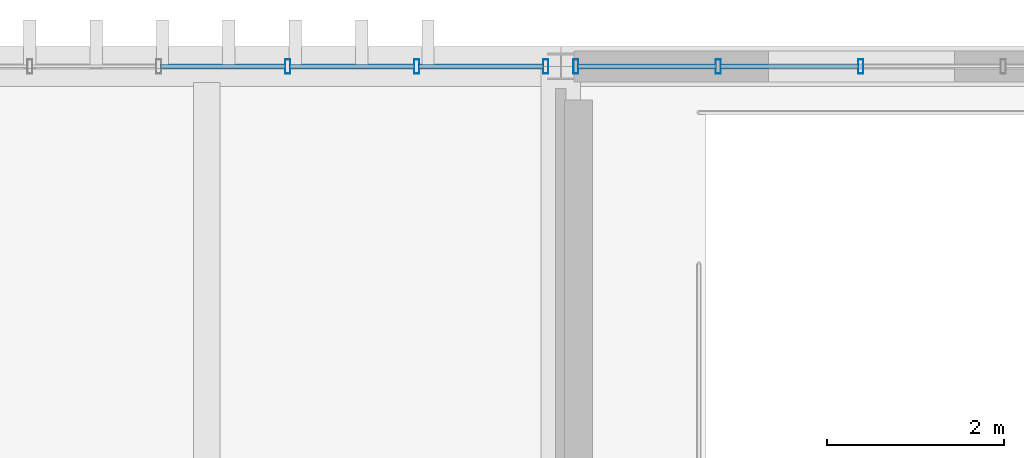
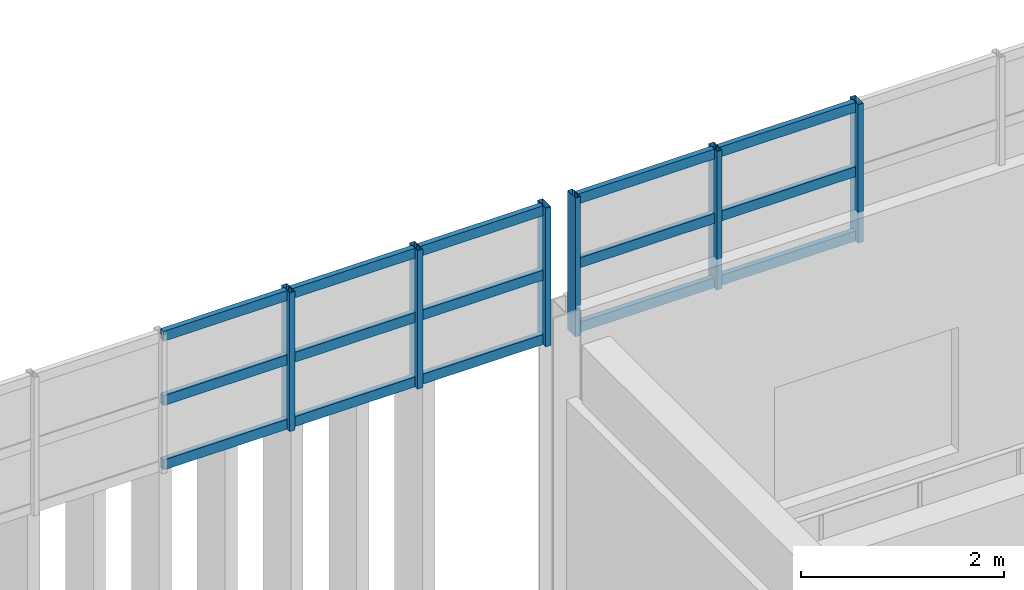
# One storey, part 22 of 36: 21 members, 2 elements without a shape of their own.
"""IFC4 building model written with IfcOpenShell, lengths in metres."""

from ifc_helpers import new_model, si_unit, direction, frame, origin, origin_2d, place, context, subcontext, project, spatial, hollow_rectangle, extrude, material, layer, layer_set, material_profile, profile_set, type_object, element, aggregate, save


model = new_model("IFC4")

# Units and contexts
model_context = context("Model", 3, precision=1e-05, world=origin(), true_north=direction((0.0, 1.0)))
body_context = subcontext(model_context, "Body", "Model", "MODEL_VIEW")
ifc_project = project(units=[si_unit("LENGTHUNIT", "METRE"), si_unit("AREAUNIT", "SQUARE_METRE"), si_unit("VOLUMEUNIT", "CUBIC_METRE"), si_unit("PLANEANGLEUNIT", "RADIAN"), si_unit("MASSUNIT", "GRAM", prefix="KILO")], contexts=[model_context])

# Site, building, storey
site_placement = place(None, origin())
site = spatial("IfcSite", under=ifc_project, at=site_placement, CompositionType="ELEMENT")
building_placement = place(site_placement, origin())
building = spatial("IfcBuilding", under=site, at=building_placement, Name="Mersad Railyard Sports Hall", CompositionType="ELEMENT")
storey_placement = place(building_placement, frame((0.0, 0.0, 21.60009765625)))
storey = spatial("IfcBuildingStorey", under=building, at=storey_placement, Name="L05", CompositionType="ELEMENT", Elevation=21.60009765625)

# Curtain wall, members
ifc_material = material(Name="Aluminium 6063-T6", Category="aluminium")
ifc_layer_1 = layer(ifc_material, 0.159912109375)
ifc_layer_set_1 = layer_set([ifc_layer_1], Name="Aluminium 6063-T6")
curtain_wall_type_1 = type_object("IfcCurtainWallType", Name="ARC-CW-CW49", PredefinedType="USERDEFINED", material=ifc_layer_set_1)
curtain_wall_1_placement = place(storey_placement, origin())
curtain_wall_1 = element("IfcCurtainWall", 1, at=curtain_wall_1_placement, inside=storey, type_object=curtain_wall_type_1, Name="Curtain wall CW49-0131", ObjectType="CURTAIN WALL", PredefinedType="USERDEFINED")
ifc_material_profile_1 = material_profile(ifc_material, hollow_rectangle(XDim=0.06005859375, YDim=0.159912109375, WallThickness=0.00390625, at=origin_2d()), Name="AL MULLION 60x160x4")
ifc_profile_set_1 = profile_set([ifc_material_profile_1], Name="Aluminium 6063-T6")
member_type_1 = type_object("IfcMemberType", Name="ARC-CW-MUL01", PredefinedType="MULLION", material=ifc_profile_set_1)
member_1_placement = place(storey_placement, frame((87.9150390625, 115.0, 3.829833984375), z_axis=(0.0, 0.0, 1.0), x_axis=(1.0, 0.0, 0.0)))
member_1 = element("IfcMember", 2, at=member_1_placement, type_object=member_type_1, Name="CW49 Mullion 7", PredefinedType="MULLION", context=body_context, shape_type="SweptSolid", body=[
    extrude(hollow_rectangle(XDim=0.06005859375, YDim=0.159912109375, WallThickness=0.00390625, at=origin_2d()), origin(), (0.0, 0.0, 1.0), 1.670166015625),
])
member_2_placement = place(storey_placement, frame((89.37255859375, 115.0, 3.829833984375), z_axis=(0.0, 0.0, 1.0), x_axis=(1.0, 0.0, 0.0)))
member_2 = element("IfcMember", 3, at=member_2_placement, type_object=member_type_1, Name="CW49 Mullion 8", PredefinedType="MULLION", context=body_context, shape_type="SweptSolid", body=[
    extrude(hollow_rectangle(XDim=0.06005859375, YDim=0.159912109375, WallThickness=0.00390625, at=origin_2d()), origin(), (0.0, 0.0, 1.0), 1.670166015625),
])
member_3_placement = place(storey_placement, frame((90.830078125, 115.0, 3.829833984375), z_axis=(0.0, 0.0, 1.0), x_axis=(1.0, 0.0, 0.0)))
member_3 = element("IfcMember", 4, at=member_3_placement, type_object=member_type_1, Name="CW49 Mullion 9", PredefinedType="MULLION", context=body_context, shape_type="SweptSolid", body=[
    extrude(hollow_rectangle(XDim=0.06005859375, YDim=0.159912109375, WallThickness=0.00390625, at=origin_2d()), origin(), (0.0, 0.0, 1.0), 1.670166015625),
])

ifc_layer_2 = layer(ifc_material, 0.159912109375)
ifc_layer_set_2 = layer_set([ifc_layer_2], Name="Aluminium 6063-T6")
curtain_wall_type_2 = type_object("IfcCurtainWallType", Name="ARC-CW-CW51", PredefinedType="USERDEFINED", material=ifc_layer_set_2)
curtain_wall_2_placement = place(storey_placement, origin())
curtain_wall_2 = element("IfcCurtainWall", 5, at=curtain_wall_2_placement, inside=storey, type_object=curtain_wall_type_2, Name="Curtain wall CW51-0133", ObjectType="CURTAIN WALL", PredefinedType="USERDEFINED")
member_4_placement = place(storey_placement, frame((91.169921875, 115.0, 3.829833984375), z_axis=(0.0, 0.0, 1.0), x_axis=(1.0, 0.0, 0.0)))
member_4 = element("IfcMember", 6, at=member_4_placement, type_object=member_type_1, Name="CW51 Mullion 1", PredefinedType="MULLION", context=body_context, shape_type="SweptSolid", body=[
    extrude(hollow_rectangle(XDim=0.06005859375, YDim=0.159912109375, WallThickness=0.00390625, at=origin_2d()), origin(), (0.0, 0.0, 1.0), 1.670166015625),
])
member_5_placement = place(storey_placement, frame((92.780029296875, 115.0, 3.829833984375), z_axis=(0.0, 0.0, 1.0), x_axis=(1.0, 0.0, 0.0)))
member_5 = element("IfcMember", 7, at=member_5_placement, type_object=member_type_1, Name="CW51 Mullion 2", PredefinedType="MULLION", context=body_context, shape_type="SweptSolid", body=[
    extrude(hollow_rectangle(XDim=0.06005859375, YDim=0.159912109375, WallThickness=0.00390625, at=origin_2d()), origin(), (0.0, 0.0, 1.0), 1.670166015625),
])
member_6_placement = place(storey_placement, frame((94.389892578125, 115.0, 3.829833984375), z_axis=(0.0, 0.0, 1.0), x_axis=(1.0, 0.0, 0.0)))
member_6 = element("IfcMember", 8, at=member_6_placement, type_object=member_type_1, Name="CW51 Mullion 3", PredefinedType="MULLION", context=body_context, shape_type="SweptSolid", body=[
    extrude(hollow_rectangle(XDim=0.06005859375, YDim=0.159912109375, WallThickness=0.00390625, at=origin_2d()), origin(), (0.0, 0.0, 1.0), 1.670166015625),
])

# Member
ifc_material_profile_2 = material_profile(ifc_material, hollow_rectangle(XDim=0.06005859375, YDim=0.1201171875, WallThickness=0.00390625, at=origin_2d()), Name="AL TRANSOM 60x120x4")
ifc_profile_set_2 = profile_set([ifc_material_profile_2], Name="Aluminium 6063-T6")
member_type_2 = type_object("IfcMemberType", Name="ARC-CW-TRN01", PredefinedType="USERDEFINED", material=ifc_profile_set_2)
member_7_placement = place(storey_placement, frame((86.4775390625, 115.0, 3.889892578125), z_axis=(1.0, 0.0, 0.0), x_axis=(0.0, 1.0, 0.0)))
member_7 = element("IfcMember", 9, at=member_7_placement, type_object=member_type_2, Name="CW49 Transom 1-6", ObjectType="TRANSOM", PredefinedType="USERDEFINED", context=body_context, shape_type="SweptSolid", body=[
    extrude(hollow_rectangle(XDim=0.06005859375, YDim=0.1201171875, WallThickness=0.00390625, at=origin_2d()), origin(), (0.0, 0.0, 1.0), 1.41748046875),
])

member_8_placement = place(storey_placement, frame((87.93505859375, 115.0, 3.889892578125), z_axis=(1.0, 0.0, 0.0), x_axis=(0.0, 1.0, 0.0)))
member_8 = element("IfcMember", 10, at=member_8_placement, type_object=member_type_2, Name="CW49 Transom 1-7", ObjectType="TRANSOM", PredefinedType="USERDEFINED", context=body_context, shape_type="SweptSolid", body=[
    extrude(hollow_rectangle(XDim=0.06005859375, YDim=0.1201171875, WallThickness=0.00390625, at=origin_2d()), origin(), (0.0, 0.0, 1.0), 1.41748046875),
])

member_9_placement = place(storey_placement, frame((89.392578125, 115.0, 3.889892578125), z_axis=(1.0, 0.0, 0.0), x_axis=(0.0, 1.0, 0.0)))
member_9 = element("IfcMember", 11, at=member_9_placement, type_object=member_type_2, Name="CW49 Transom 1-8", ObjectType="TRANSOM", PredefinedType="USERDEFINED", context=body_context, shape_type="SweptSolid", body=[
    extrude(hollow_rectangle(XDim=0.06005859375, YDim=0.1201171875, WallThickness=0.00390625, at=origin_2d()), origin(), (0.0, 0.0, 1.0), 1.41748046875),
])

member_10_placement = place(storey_placement, frame((86.4775390625, 115.0, 4.664794921875), z_axis=(1.0, 0.0, 0.0), x_axis=(0.0, 1.0, 0.0)))
member_10 = element("IfcMember", 12, at=member_10_placement, type_object=member_type_2, Name="CW49 Transom 2-6", ObjectType="TRANSOM", PredefinedType="USERDEFINED", context=body_context, shape_type="SweptSolid", body=[
    extrude(hollow_rectangle(XDim=0.06005859375, YDim=0.1201171875, WallThickness=0.00390625, at=origin_2d()), origin(), (0.0, 0.0, 1.0), 1.41748046875),
])

member_11_placement = place(storey_placement, frame((87.93505859375, 115.0, 4.664794921875), z_axis=(1.0, 0.0, 0.0), x_axis=(0.0, 1.0, 0.0)))
member_11 = element("IfcMember", 13, at=member_11_placement, type_object=member_type_2, Name="CW49 Transom 2-7", ObjectType="TRANSOM", PredefinedType="USERDEFINED", context=body_context, shape_type="SweptSolid", body=[
    extrude(hollow_rectangle(XDim=0.06005859375, YDim=0.1201171875, WallThickness=0.00390625, at=origin_2d()), origin(), (0.0, 0.0, 1.0), 1.41748046875),
])

member_12_placement = place(storey_placement, frame((89.392578125, 115.0, 4.664794921875), z_axis=(1.0, 0.0, 0.0), x_axis=(0.0, 1.0, 0.0)))
member_12 = element("IfcMember", 14, at=member_12_placement, type_object=member_type_2, Name="CW49 Transom 2-8", ObjectType="TRANSOM", PredefinedType="USERDEFINED", context=body_context, shape_type="SweptSolid", body=[
    extrude(hollow_rectangle(XDim=0.06005859375, YDim=0.1201171875, WallThickness=0.00390625, at=origin_2d()), origin(), (0.0, 0.0, 1.0), 1.41748046875),
])

member_13_placement = place(storey_placement, frame((86.4775390625, 115.0, 5.43994140625), z_axis=(1.0, 0.0, 0.0), x_axis=(0.0, 1.0, 0.0)))
member_13 = element("IfcMember", 15, at=member_13_placement, type_object=member_type_2, Name="CW49 Transom 3-6", ObjectType="TRANSOM", PredefinedType="USERDEFINED", context=body_context, shape_type="SweptSolid", body=[
    extrude(hollow_rectangle(XDim=0.06005859375, YDim=0.1201171875, WallThickness=0.00390625, at=origin_2d()), origin(), (0.0, 0.0, 1.0), 1.41748046875),
])

member_14_placement = place(storey_placement, frame((87.93505859375, 115.0, 5.43994140625), z_axis=(1.0, 0.0, 0.0), x_axis=(0.0, 1.0, 0.0)))
member_14 = element("IfcMember", 16, at=member_14_placement, type_object=member_type_2, Name="CW49 Transom 3-7", ObjectType="TRANSOM", PredefinedType="USERDEFINED", context=body_context, shape_type="SweptSolid", body=[
    extrude(hollow_rectangle(XDim=0.06005859375, YDim=0.1201171875, WallThickness=0.00390625, at=origin_2d()), origin(), (0.0, 0.0, 1.0), 1.41748046875),
])

member_15_placement = place(storey_placement, frame((89.392578125, 115.0, 5.43994140625), z_axis=(1.0, 0.0, 0.0), x_axis=(0.0, 1.0, 0.0)))
member_15 = element("IfcMember", 17, at=member_15_placement, type_object=member_type_2, Name="CW49 Transom 3-8", ObjectType="TRANSOM", PredefinedType="USERDEFINED", context=body_context, shape_type="SweptSolid", body=[
    extrude(hollow_rectangle(XDim=0.06005859375, YDim=0.1201171875, WallThickness=0.00390625, at=origin_2d()), origin(), (0.0, 0.0, 1.0), 1.41748046875),
])

aggregate(curtain_wall_1, [member_1, member_2, member_3, member_7, member_8, member_9, member_10, member_11, member_12, member_13, member_14, member_15])

member_16_placement = place(storey_placement, frame((91.18994140625, 115.0, 3.889892578125), z_axis=(1.0, 0.0, 0.0), x_axis=(0.0, 1.0, 0.0)))
member_16 = element("IfcMember", 18, at=member_16_placement, type_object=member_type_2, Name="CW51 Transom 1-1", ObjectType="TRANSOM", PredefinedType="USERDEFINED", context=body_context, shape_type="SweptSolid", body=[
    extrude(hollow_rectangle(XDim=0.06005859375, YDim=0.1201171875, WallThickness=0.00390625, at=origin_2d()), origin(), (0.0, 0.0, 1.0), 1.570068359375),
])

member_17_placement = place(storey_placement, frame((92.800048828125, 115.0, 3.889892578125), z_axis=(1.0, 0.0, 0.0), x_axis=(0.0, 1.0, 0.0)))
member_17 = element("IfcMember", 19, at=member_17_placement, type_object=member_type_2, Name="CW51 Transom 1-2", ObjectType="TRANSOM", PredefinedType="USERDEFINED", context=body_context, shape_type="SweptSolid", body=[
    extrude(hollow_rectangle(XDim=0.06005859375, YDim=0.1201171875, WallThickness=0.00390625, at=origin_2d()), origin(), (0.0, 0.0, 1.0), 1.570068359375),
])

member_18_placement = place(storey_placement, frame((91.18994140625, 115.0, 4.664794921875), z_axis=(1.0, 0.0, 0.0), x_axis=(0.0, 1.0, 0.0)))
member_18 = element("IfcMember", 20, at=member_18_placement, type_object=member_type_2, Name="CW51 Transom 2-1", ObjectType="TRANSOM", PredefinedType="USERDEFINED", context=body_context, shape_type="SweptSolid", body=[
    extrude(hollow_rectangle(XDim=0.06005859375, YDim=0.1201171875, WallThickness=0.00390625, at=origin_2d()), origin(), (0.0, 0.0, 1.0), 1.570068359375),
])

member_19_placement = place(storey_placement, frame((92.800048828125, 115.0, 4.664794921875), z_axis=(1.0, 0.0, 0.0), x_axis=(0.0, 1.0, 0.0)))
member_19 = element("IfcMember", 21, at=member_19_placement, type_object=member_type_2, Name="CW51 Transom 2-2", ObjectType="TRANSOM", PredefinedType="USERDEFINED", context=body_context, shape_type="SweptSolid", body=[
    extrude(hollow_rectangle(XDim=0.06005859375, YDim=0.1201171875, WallThickness=0.00390625, at=origin_2d()), origin(), (0.0, 0.0, 1.0), 1.570068359375),
])

member_20_placement = place(storey_placement, frame((91.18994140625, 115.0, 5.43994140625), z_axis=(1.0, 0.0, 0.0), x_axis=(0.0, 1.0, 0.0)))
member_20 = element("IfcMember", 22, at=member_20_placement, type_object=member_type_2, Name="CW51 Transom 3-1", ObjectType="TRANSOM", PredefinedType="USERDEFINED", context=body_context, shape_type="SweptSolid", body=[
    extrude(hollow_rectangle(XDim=0.06005859375, YDim=0.1201171875, WallThickness=0.00390625, at=origin_2d()), origin(), (0.0, 0.0, 1.0), 1.570068359375),
])

member_21_placement = place(storey_placement, frame((92.800048828125, 115.0, 5.43994140625), z_axis=(1.0, 0.0, 0.0), x_axis=(0.0, 1.0, 0.0)))
member_21 = element("IfcMember", 23, at=member_21_placement, type_object=member_type_2, Name="CW51 Transom 3-2", ObjectType="TRANSOM", PredefinedType="USERDEFINED", context=body_context, shape_type="SweptSolid", body=[
    extrude(hollow_rectangle(XDim=0.06005859375, YDim=0.1201171875, WallThickness=0.00390625, at=origin_2d()), origin(), (0.0, 0.0, 1.0), 1.570068359375),
])

aggregate(curtain_wall_2, [member_4, member_5, member_6, member_16, member_17, member_18, member_19, member_20, member_21])

save(model, "model.ifc")
